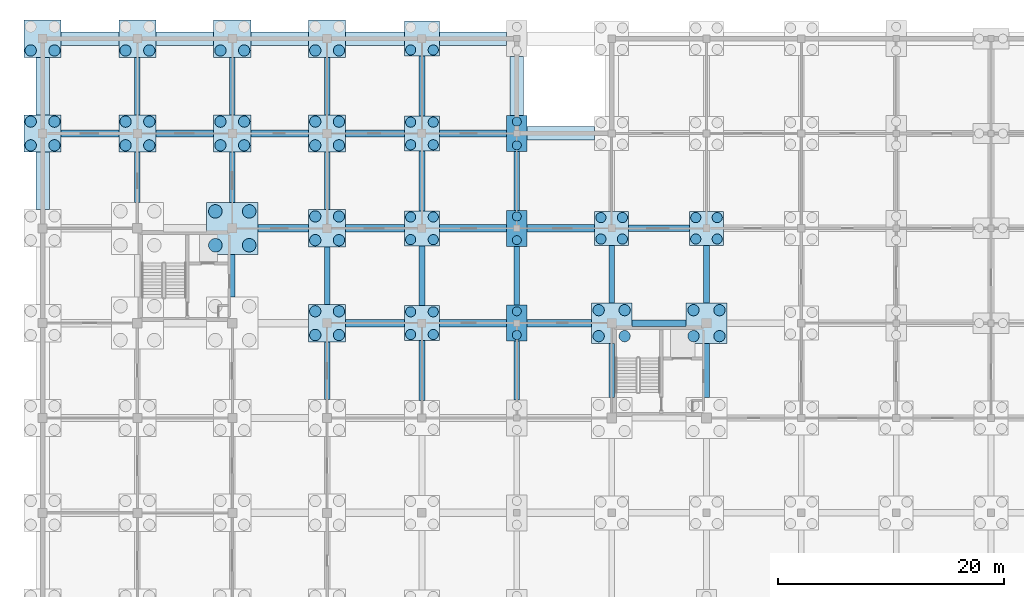
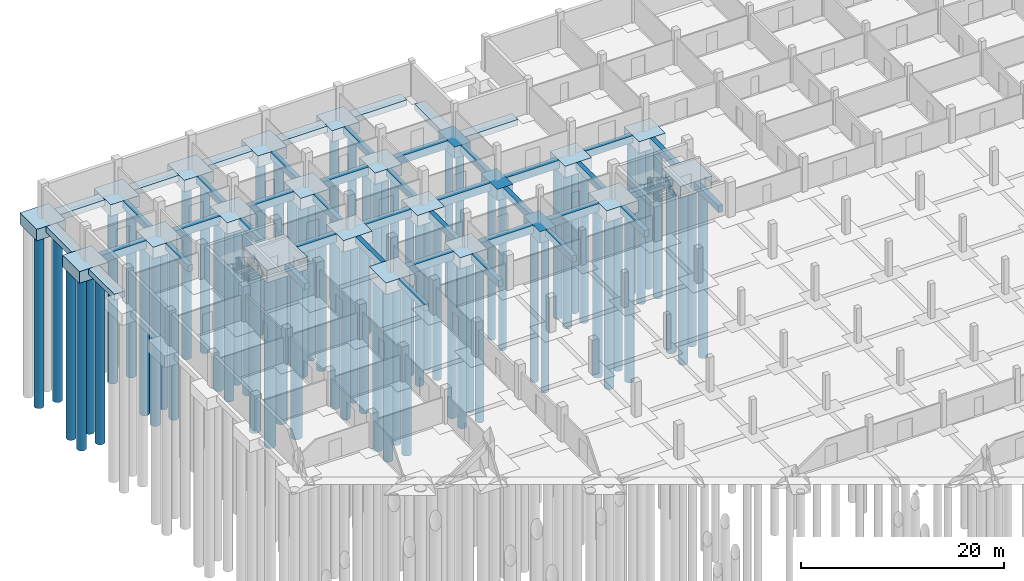
# One storey, part 8 of 43: 72 piles, 65 footings.
"""IFC4 building model written with IfcOpenShell, lengths in metres."""

from ifc_helpers import new_model, si_unit, direction, frame, origin, origin_2d, place, context, subcontext, project, spatial, rectangle, circle, extrude, material, material_profile, profile_set, type_object, element, save


model = new_model("IFC4")

# Units and contexts
model_context = context("Model", 3, precision=1e-05, world=origin(), true_north=direction((0.0, 1.0)))
body_context = subcontext(model_context, "Body", "Model", "MODEL_VIEW")
ifc_project = project(units=[si_unit("LENGTHUNIT", "METRE"), si_unit("AREAUNIT", "SQUARE_METRE"), si_unit("VOLUMEUNIT", "CUBIC_METRE"), si_unit("PLANEANGLEUNIT", "RADIAN"), si_unit("MASSUNIT", "GRAM", prefix="KILO")], contexts=[model_context])

# Site, building, storey
site_placement = place(None, origin())
site = spatial("IfcSite", under=ifc_project, at=site_placement, CompositionType="ELEMENT")
building_placement = place(site_placement, origin())
building = spatial("IfcBuilding", under=site, at=building_placement, Name="Varnapada Polytechnic", CompositionType="ELEMENT")
storey_placement = place(building_placement, frame((0.0, 0.0, -4.199951171875)))
storey = spatial("IfcBuildingStorey", under=building, at=storey_placement, Name="B1", CompositionType="ELEMENT", Elevation=-4.199951171875)

# Piles
ifc_material = material(Name="Concrete C40/50", Category="concrete")
ifc_material_profile_1 = material_profile(ifc_material, circle(Radius=0.5, at=origin_2d()), Name="BP 1000")
ifc_profile_set_1 = profile_set([ifc_material_profile_1], Name="Concrete C40/50")
pile_type_1 = type_object("IfcPileType", Name="Bored Pile BP 1000", PredefinedType="BORED", material=ifc_profile_set_1)
for number, where, z_axis, x_axis, name in (
    (1, (-1.050048828125, 116.550048828125, -1.300048828125), (0.0, 0.0, -1.0), (1.0, 0.0, 0.0), "Bored pile P-01 under CAP-00-14 (1)"),
    (2, (1.050048828125, 116.550048828125, -1.300048828125), (0.0, 0.0, -1.0), (1.0, 0.0, 0.0), "Bored pile P-01 under CAP-00-14 (2)"),
    (3, (-1.050048828125, 118.64990234375, -1.300048828125), (0.0, 0.0, -1.0), (1.0, 0.0, 0.0), "Bored pile P-01 under CAP-00-14 (3)"),
    (4, (1.050048828125, 118.64990234375, -1.300048828125), (0.0, 0.0, -1.0), (1.0, 0.0, 0.0), "Bored pile P-01 under CAP-00-14 (4)"),
    (5, (-1.050048828125, 124.949951171875, -1.300048828125), (0.0, 0.0, -1.0), (1.0, 0.0, 0.0), "Bored pile P-01 under CAP-00-15 (1)"),
    (6, (1.050048828125, 124.949951171875, -1.300048828125), (0.0, 0.0, -1.0), (1.0, 0.0, 0.0), "Bored pile P-01 under CAP-00-15 (2)"),
    (7, (7.35009765625, 116.550048828125, -1.300048828125), (0.0, 0.0, -1.0), (1.0, 0.0, 0.0), "Bored pile P-01 under CAP-01-14 (1)"),
    (8, (9.449951171875, 116.550048828125, -1.300048828125), (0.0, 0.0, -1.0), (1.0, 0.0, 0.0), "Bored pile P-01 under CAP-01-14 (2)"),
    (9, (7.35009765625, 118.64990234375, -1.300048828125), (0.0, 0.0, -1.0), (1.0, 0.0, 0.0), "Bored pile P-01 under CAP-01-14 (3)"),
    (10, (9.449951171875, 118.64990234375, -1.300048828125), (0.0, 0.0, -1.0), (1.0, 0.0, 0.0), "Bored pile P-01 under CAP-01-14 (4)"),
    (11, (7.35009765625, 124.949951171875, -1.300048828125), (0.0, 0.0, -1.0), (1.0, 0.0, 0.0), "Bored pile P-01 under CAP-01-15 (1)"),
    (12, (9.449951171875, 124.949951171875, -1.300048828125), (0.0, 0.0, -1.0), (1.0, 0.0, 0.0), "Bored pile P-01 under CAP-01-15 (2)"),
    (13, (15.75, 116.550048828125, -1.300048828125), (0.0, 0.0, -1.0), (1.0, 0.0, 0.0), "Bored pile P-01 under CAP-02-14 (1)"),
    (14, (17.85009765625, 116.550048828125, -1.300048828125), (0.0, 0.0, -1.0), (1.0, 0.0, 0.0), "Bored pile P-01 under CAP-02-14 (2)"),
    (15, (15.75, 118.64990234375, -1.300048828125), (0.0, 0.0, -1.0), (1.0, 0.0, 0.0), "Bored pile P-01 under CAP-02-14 (3)"),
    (16, (17.85009765625, 118.64990234375, -1.300048828125), (0.0, 0.0, -1.0), (1.0, 0.0, 0.0), "Bored pile P-01 under CAP-02-14 (4)"),
    (17, (15.75, 124.949951171875, -1.300048828125), (0.0, 0.0, -1.0), (1.0, 0.0, 0.0), "Bored pile P-01 under CAP-02-15 (1)"),
    (18, (17.85009765625, 124.949951171875, -1.300048828125), (0.0, 0.0, -1.0), (1.0, 0.0, 0.0), "Bored pile P-01 under CAP-02-15 (2)"),
    (19, (24.14990234375, 99.75, -1.300048828125), (0.0, 0.0, -1.0), (1.0, 0.0, 0.0), "Bored pile P-01 under CAP-03-12 (1)"),
    (20, (26.25, 99.75, -1.300048828125), (0.0, 0.0, -1.0), (1.0, 0.0, 0.0), "Bored pile P-01 under CAP-03-12 (2)"),
    (21, (24.14990234375, 101.85009765625, -1.300048828125), (0.0, 0.0, -1.0), (1.0, 0.0, 0.0), "Bored pile P-01 under CAP-03-12 (3)"),
    (22, (26.25, 101.85009765625, -1.300048828125), (0.0, 0.0, -1.0), (1.0, 0.0, 0.0), "Bored pile P-01 under CAP-03-12 (4)"),
    (23, (24.14990234375, 108.14990234375, -1.300048828125), (0.0, 0.0, -1.0), (1.0, 0.0, 0.0), "Bored pile P-01 under CAP-03-13 (1)"),
    (24, (26.25, 108.14990234375, -1.300048828125), (0.0, 0.0, -1.0), (1.0, 0.0, 0.0), "Bored pile P-01 under CAP-03-13 (2)"),
    (25, (24.14990234375, 110.25, -1.300048828125), (0.0, 0.0, -1.0), (1.0, 0.0, 0.0), "Bored pile P-01 under CAP-03-13 (3)"),
    (26, (26.25, 110.25, -1.300048828125), (0.0, 0.0, -1.0), (1.0, 0.0, 0.0), "Bored pile P-01 under CAP-03-13 (4)"),
    (27, (24.14990234375, 116.550048828125, -1.300048828125), (0.0, 0.0, -1.0), (1.0, 0.0, 0.0), "Bored pile P-01 under CAP-03-14 (1)"),
    (28, (26.25, 116.550048828125, -1.300048828125), (0.0, 0.0, -1.0), (1.0, 0.0, 0.0), "Bored pile P-01 under CAP-03-14 (2)"),
    (29, (24.14990234375, 118.64990234375, -1.300048828125), (0.0, 0.0, -1.0), (1.0, 0.0, 0.0), "Bored pile P-01 under CAP-03-14 (3)"),
    (30, (26.25, 118.64990234375, -1.300048828125), (0.0, 0.0, -1.0), (1.0, 0.0, 0.0), "Bored pile P-01 under CAP-03-14 (4)"),
    (31, (24.14990234375, 124.949951171875, -1.300048828125), (0.0, 0.0, -1.0), (1.0, 0.0, 0.0), "Bored pile P-01 under CAP-03-15 (1)"),
    (32, (26.25, 124.949951171875, -1.300048828125), (0.0, 0.0, -1.0), (1.0, 0.0, 0.0), "Bored pile P-01 under CAP-03-15 (2)"),
    (33, (49.25, 99.64990234375, -1.300048828125), (0.0, 0.0, -1.0), (1.0, 0.0, 0.0), "Bored pile P-01 under CAP-06-12 (1)"),
    (34, (51.550048828125, 99.64990234375, -1.300048828125), (0.0, 0.0, -1.0), (1.0, 0.0, 0.0), "Bored pile P-01 under CAP-06-12 (2)"),
    (35, (49.25, 101.949951171875, -1.300048828125), (0.0, 0.0, -1.0), (1.0, 0.0, 0.0), "Bored pile P-01 under CAP-06-12 (3)"),
    (36, (51.550048828125, 101.949951171875, -1.300048828125), (0.0, 0.0, -1.0), (1.0, 0.0, 0.0), "Bored pile P-01 under CAP-06-12 (4)"),
    (37, (57.64990234375, 99.64990234375, -1.300048828125), (0.0, 0.0, -1.0), (1.0, 0.0, 0.0), "Bored pile P-01 under CAP-07-12 (1)"),
    (38, (59.949951171875, 99.64990234375, -1.300048828125), (0.0, 0.0, -1.0), (1.0, 0.0, 0.0), "Bored pile P-01 under CAP-07-12 (2)"),
    (39, (57.64990234375, 101.949951171875, -1.300048828125), (0.0, 0.0, -1.0), (1.0, 0.0, 0.0), "Bored pile P-01 under CAP-07-12 (3)"),
    (40, (59.949951171875, 101.949951171875, -1.300048828125), (0.0, 0.0, -1.0), (1.0, 0.0, 0.0), "Bored pile P-01 under CAP-07-12 (4)"),
):
    element("IfcPile", number, at=place(storey_placement, frame(where, z_axis=z_axis, x_axis=x_axis)), inside=storey, type_object=pile_type_1, Name=name, PredefinedType="BORED", context=body_context, shape_type="SweptSolid", body=[
        extrude(circle(Radius=0.5, at=origin_2d()), origin(), (0.0, 0.0, 1.0), 20.5),
    ])
ifc_material_profile_2 = material_profile(ifc_material, circle(Radius=0.60009765625, at=origin_2d()), Name="BP 1200")
ifc_profile_set_2 = profile_set([ifc_material_profile_2], Name="Concrete C40/50")
pile_type_2 = type_object("IfcPileType", Name="Bored Pile BP 1200", PredefinedType="BORED", material=ifc_profile_set_2)
for number, where, z_axis, x_axis, name in (
    (41, (15.300048828125, 107.699951171875, -1.400146484375), (0.0, 0.0, -1.0), (1.0, 0.0, 0.0), "Bored pile P-06 under CAP-02-13 (1)"),
    (42, (18.300048828125, 107.699951171875, -1.400146484375), (0.0, 0.0, -1.0), (1.0, 0.0, 0.0), "Bored pile P-06 under CAP-02-13 (2)"),
    (43, (15.300048828125, 110.699951171875, -1.400146484375), (0.0, 0.0, -1.0), (1.0, 0.0, 0.0), "Bored pile P-06 under CAP-02-13 (3)"),
    (44, (18.300048828125, 110.699951171875, -1.400146484375), (0.0, 0.0, -1.0), (1.0, 0.0, 0.0), "Bored pile P-06 under CAP-02-13 (4)"),
):
    element("IfcPile", number, at=place(storey_placement, frame(where, z_axis=z_axis, x_axis=x_axis)), inside=storey, type_object=pile_type_2, Name=name, PredefinedType="BORED", context=body_context, shape_type="SweptSolid", body=[
        extrude(circle(Radius=0.60009765625, at=origin_2d()), origin(), (0.0, 0.0, 1.0), 20.39990234375),
    ])
ifc_material_profile_3 = material_profile(ifc_material, circle(Radius=0.39990234375, at=origin_2d()), Name="BP 800")
ifc_profile_set_3 = profile_set([ifc_material_profile_3], Name="Concrete C40/50")
pile_type_3 = type_object("IfcPileType", Name="Bored Pile BP 800", PredefinedType="BORED", material=ifc_profile_set_3)
for number, where, z_axis, x_axis, name in (
    (45, (42.0, 99.75, -1.300048828125), (0.0, 0.0, -1.0), (1.0, 0.0, 0.0), "Bored pile P-03 under CAP-05-12 (1)"),
    (46, (42.0, 101.85009765625, -1.300048828125), (0.0, 0.0, -1.0), (1.0, 0.0, 0.0), "Bored pile P-03 under CAP-05-12 (2)"),
    (47, (42.0, 108.14990234375, -1.300048828125), (0.0, 0.0, -1.0), (1.0, 0.0, 0.0), "Bored pile P-03 under CAP-05-13 (1)"),
    (48, (42.0, 110.25, -1.300048828125), (0.0, 0.0, -1.0), (1.0, 0.0, 0.0), "Bored pile P-03 under CAP-05-13 (2)"),
    (49, (42.0, 116.550048828125, -1.300048828125), (0.0, 0.0, -1.0), (1.0, 0.0, 0.0), "Bored pile P-03 under CAP-05-14 (1)"),
    (50, (42.0, 118.64990234375, -1.300048828125), (0.0, 0.0, -1.0), (1.0, 0.0, 0.0), "Bored pile P-03 under CAP-05-14 (2)"),
):
    element("IfcPile", number, at=place(storey_placement, frame(where, z_axis=z_axis, x_axis=x_axis)), inside=storey, type_object=pile_type_3, Name=name, PredefinedType="BORED", context=body_context, shape_type="SweptSolid", body=[
        extrude(circle(Radius=0.39990234375, at=origin_2d()), origin(), (0.0, 0.0, 1.0), 18.5),
    ])
ifc_material_profile_4 = material_profile(ifc_material, circle(Radius=0.449951171875, at=origin_2d()), Name="BP 900")
ifc_profile_set_4 = profile_set([ifc_material_profile_4], Name="Concrete C40/50")
pile_type_4 = type_object("IfcPileType", Name="Bored Pile BP 900", PredefinedType="BORED", material=ifc_profile_set_4)
for number, where, z_axis, x_axis, name in (
    (51, (32.60009765625, 99.800048828125, -1.25), (0.0, 0.0, -1.0), (1.0, 0.0, 0.0), "Bored pile P-02 under CAP-04-12 (1)"),
    (52, (34.60009765625, 99.800048828125, -1.25), (0.0, 0.0, -1.0), (1.0, 0.0, 0.0), "Bored pile P-02 under CAP-04-12 (2)"),
    (53, (32.60009765625, 101.800048828125, -1.25), (0.0, 0.0, -1.0), (1.0, 0.0, 0.0), "Bored pile P-02 under CAP-04-12 (3)"),
    (54, (34.60009765625, 101.800048828125, -1.25), (0.0, 0.0, -1.0), (1.0, 0.0, 0.0), "Bored pile P-02 under CAP-04-12 (4)"),
    (55, (32.60009765625, 108.199951171875, -1.25), (0.0, 0.0, -1.0), (1.0, 0.0, 0.0), "Bored pile P-02 under CAP-04-13 (1)"),
    (56, (34.60009765625, 108.199951171875, -1.25), (0.0, 0.0, -1.0), (1.0, 0.0, 0.0), "Bored pile P-02 under CAP-04-13 (2)"),
    (57, (32.60009765625, 110.199951171875, -1.25), (0.0, 0.0, -1.0), (1.0, 0.0, 0.0), "Bored pile P-02 under CAP-04-13 (3)"),
    (58, (34.60009765625, 110.199951171875, -1.25), (0.0, 0.0, -1.0), (1.0, 0.0, 0.0), "Bored pile P-02 under CAP-04-13 (4)"),
    (59, (32.60009765625, 116.60009765625, -1.25), (0.0, 0.0, -1.0), (1.0, 0.0, 0.0), "Bored pile P-02 under CAP-04-14 (1)"),
    (60, (34.60009765625, 116.60009765625, -1.25), (0.0, 0.0, -1.0), (1.0, 0.0, 0.0), "Bored pile P-02 under CAP-04-14 (2)"),
    (61, (32.60009765625, 118.60009765625, -1.25), (0.0, 0.0, -1.0), (1.0, 0.0, 0.0), "Bored pile P-02 under CAP-04-14 (3)"),
    (62, (34.60009765625, 118.60009765625, -1.25), (0.0, 0.0, -1.0), (1.0, 0.0, 0.0), "Bored pile P-02 under CAP-04-14 (4)"),
    (63, (32.60009765625, 125.0, -1.25), (0.0, 0.0, -1.0), (1.0, 0.0, 0.0), "Bored pile P-02 under CAP-04-15 (1)"),
    (64, (34.60009765625, 125.0, -1.25), (0.0, 0.0, -1.0), (1.0, 0.0, 0.0), "Bored pile P-02 under CAP-04-15 (2)"),
):
    element("IfcPile", number, at=place(storey_placement, frame(where, z_axis=z_axis, x_axis=x_axis)), inside=storey, type_object=pile_type_4, Name=name, PredefinedType="BORED", context=body_context, shape_type="SweptSolid", body=[
        extrude(circle(Radius=0.449951171875, at=origin_2d()), origin(), (0.0, 0.0, 1.0), 19.550048828125),
    ])
for number, where, z_axis, x_axis, name in (
    (65, (49.449951171875, 108.25, -1.300048828125), (0.0, 0.0, -1.0), (1.0, 0.0, 0.0), "Bored pile P-02 under CAP-06-13 (1)"),
    (66, (51.35009765625, 108.25, -1.300048828125), (0.0, 0.0, -1.0), (1.0, 0.0, 0.0), "Bored pile P-02 under CAP-06-13 (2)"),
    (67, (49.449951171875, 110.14990234375, -1.300048828125), (0.0, 0.0, -1.0), (1.0, 0.0, 0.0), "Bored pile P-02 under CAP-06-13 (3)"),
    (68, (51.35009765625, 110.14990234375, -1.300048828125), (0.0, 0.0, -1.0), (1.0, 0.0, 0.0), "Bored pile P-02 under CAP-06-13 (4)"),
    (69, (57.85009765625, 108.25, -1.300048828125), (0.0, 0.0, -1.0), (1.0, 0.0, 0.0), "Bored pile P-02 under CAP-07-13 (1)"),
    (70, (59.75, 108.25, -1.300048828125), (0.0, 0.0, -1.0), (1.0, 0.0, 0.0), "Bored pile P-02 under CAP-07-13 (2)"),
    (71, (57.85009765625, 110.14990234375, -1.300048828125), (0.0, 0.0, -1.0), (1.0, 0.0, 0.0), "Bored pile P-02 under CAP-07-13 (3)"),
    (72, (59.75, 110.14990234375, -1.300048828125), (0.0, 0.0, -1.0), (1.0, 0.0, 0.0), "Bored pile P-02 under CAP-07-13 (4)"),
):
    element("IfcPile", number, at=place(storey_placement, frame(where, z_axis=z_axis, x_axis=x_axis)), inside=storey, type_object=pile_type_4, Name=name, PredefinedType="BORED", context=body_context, shape_type="SweptSolid", body=[
        extrude(circle(Radius=0.449951171875, at=origin_2d()), origin(), (0.0, 0.0, 1.0), 18.5),
    ])

# Footings
footing_type_1 = type_object("IfcFootingType", Name="Footing GB-02", PredefinedType="FOOTING_BEAM", material=ifc_material)
footing_1_placement = place(storey_placement, frame((8.39990234375, 113.72509765625, -0.80029296875), z_axis=(0.0, 0.0, 1.0), x_axis=(0.0, 1.0, 0.0)))
element("IfcFooting", 73, at=footing_1_placement, inside=storey, type_object=footing_type_1, Name="Ground footing beam GB-02 Y 14-15", PredefinedType="FOOTING_BEAM", context=body_context, shape_type="SweptSolid", body=[
    extrude(rectangle(XDim=4.449951171875, YDim=0.5, at=origin_2d()), origin(), (0.0, 0.0, 1.0), 0.800048828125),
])
footing_2_placement = place(storey_placement, frame((8.39990234375, 121.800048828125, -0.80029296875), z_axis=(0.0, 0.0, 1.0), x_axis=(0.0, 1.0, 0.0)))
element("IfcFooting", 74, at=footing_2_placement, inside=storey, type_object=footing_type_1, Name="Ground footing beam GB-02 Y 15-16", PredefinedType="FOOTING_BEAM", context=body_context, shape_type="SweptSolid", body=[
    extrude(rectangle(XDim=5.10009765625, YDim=0.5, at=origin_2d()), origin(), (0.0, 0.0, 1.0), 0.800048828125),
])
footing_3_placement = place(storey_placement, frame((16.800048828125, 105.0, -0.80029296875), z_axis=(0.0, 0.0, 1.0), x_axis=(0.0, 1.0, 0.0)))
element("IfcFooting", 75, at=footing_3_placement, inside=storey, type_object=footing_type_1, Name="Ground footing beam GB-02 Y 13-14", PredefinedType="FOOTING_BEAM", context=body_context, shape_type="SweptSolid", body=[
    extrude(rectangle(XDim=3.800048828125, YDim=0.5, at=origin_2d()), origin(), (0.0, 0.0, 1.0), 0.800048828125),
])
footing_4_placement = place(storey_placement, frame((16.800048828125, 113.72509765625, -0.80029296875), z_axis=(0.0, 0.0, 1.0), x_axis=(0.0, 1.0, 0.0)))
element("IfcFooting", 76, at=footing_4_placement, inside=storey, type_object=footing_type_1, Name="Ground footing beam GB-02 Y 14-15", PredefinedType="FOOTING_BEAM", context=body_context, shape_type="SweptSolid", body=[
    extrude(rectangle(XDim=4.449951171875, YDim=0.5, at=origin_2d()), origin(), (0.0, 0.0, 1.0), 0.800048828125),
])
for number, where, z_axis, x_axis, name in (
    (77, (16.800048828125, 121.800048828125, -0.80029296875), (0.0, 0.0, 1.0), (0.0, 1.0, 0.0), "Ground footing beam GB-02 Y 15-16"),
    (78, (25.199951171875, 96.60009765625, -0.80029296875), (0.0, 0.0, 1.0), (0.0, 1.0, 0.0), "Ground footing beam GB-02 Y 12-13"),
    (79, (25.199951171875, 105.0, -0.80029296875), (0.0, 0.0, 1.0), (0.0, 1.0, 0.0), "Ground footing beam GB-02 Y 13-14"),
    (80, (25.199951171875, 113.39990234375, -0.80029296875), (0.0, 0.0, 1.0), (0.0, 1.0, 0.0), "Ground footing beam GB-02 Y 14-15"),
    (81, (25.199951171875, 121.800048828125, -0.80029296875), (0.0, 0.0, 1.0), (0.0, 1.0, 0.0), "Ground footing beam GB-02 Y 15-16"),
):
    element("IfcFooting", number, at=place(storey_placement, frame(where, z_axis=z_axis, x_axis=x_axis)), inside=storey, type_object=footing_type_1, Name=name, PredefinedType="FOOTING_BEAM", context=body_context, shape_type="SweptSolid", body=[
        extrude(rectangle(XDim=5.10009765625, YDim=0.5, at=origin_2d()), origin(), (0.0, 0.0, 1.0), 0.800048828125),
    ])
for number, where, z_axis, x_axis, name in (
    (82, (33.60009765625, 96.60009765625, -0.80029296875), (0.0, 0.0, 1.0), (0.0, 1.0, 0.0), "Ground footing beam GB-02 Y 12-13"),
    (83, (33.60009765625, 105.0, -0.80029296875), (0.0, 0.0, 1.0), (0.0, 1.0, 0.0), "Ground footing beam GB-02 Y 13-14"),
    (84, (33.60009765625, 113.39990234375, -0.80029296875), (0.0, 0.0, 1.0), (0.0, 1.0, 0.0), "Ground footing beam GB-02 Y 14-15"),
    (85, (33.60009765625, 121.800048828125, -0.80029296875), (0.0, 0.0, 1.0), (0.0, 1.0, 0.0), "Ground footing beam GB-02 Y 15-16"),
):
    element("IfcFooting", number, at=place(storey_placement, frame(where, z_axis=z_axis, x_axis=x_axis)), inside=storey, type_object=footing_type_1, Name=name, PredefinedType="FOOTING_BEAM", context=body_context, shape_type="SweptSolid", body=[
        extrude(rectangle(XDim=5.300048828125, YDim=0.5, at=origin_2d()), origin(), (0.0, 0.0, 1.0), 0.800048828125),
    ])
for number, where, z_axis, x_axis, name in (
    (86, (42.0, 96.60009765625, -0.80029296875), (0.0, 0.0, 1.0), (0.0, 1.0, 0.0), "Ground footing beam GB-02 Y 12-13"),
    (87, (42.0, 105.0, -0.80029296875), (0.0, 0.0, 1.0), (0.0, 1.0, 0.0), "Ground footing beam GB-02 Y 13-14"),
    (88, (42.0, 113.39990234375, -0.80029296875), (0.0, 0.0, 1.0), (0.0, 1.0, 0.0), "Ground footing beam GB-02 Y 14-15"),
):
    element("IfcFooting", number, at=place(storey_placement, frame(where, z_axis=z_axis, x_axis=x_axis)), inside=storey, type_object=footing_type_1, Name=name, PredefinedType="FOOTING_BEAM", context=body_context, shape_type="SweptSolid", body=[
        extrude(rectangle(XDim=5.199951171875, YDim=0.5, at=origin_2d()), origin(), (0.0, 0.0, 1.0), 0.800048828125),
    ])
footing_5_placement = place(storey_placement, frame((50.39990234375, 96.60009765625, -0.80029296875), z_axis=(0.0, 0.0, 1.0), x_axis=(0.0, 1.0, 0.0)))
element("IfcFooting", 89, at=footing_5_placement, inside=storey, type_object=footing_type_1, Name="Ground footing beam GB-02 Y 12-13", PredefinedType="FOOTING_BEAM", context=body_context, shape_type="SweptSolid", body=[
    extrude(rectangle(XDim=4.800048828125, YDim=0.5, at=origin_2d()), origin(), (0.0, 0.0, 1.0), 0.800048828125),
])
footing_6_placement = place(storey_placement, frame((50.39990234375, 105.14990234375, -0.80029296875), z_axis=(0.0, 0.0, 1.0), x_axis=(0.0, 1.0, 0.0)))
element("IfcFooting", 90, at=footing_6_placement, inside=storey, type_object=footing_type_1, Name="Ground footing beam GB-02 Y 13-14", PredefinedType="FOOTING_BEAM", context=body_context, shape_type="SweptSolid", body=[
    extrude(rectangle(XDim=5.10009765625, YDim=0.5, at=origin_2d()), origin(), (0.0, 0.0, 1.0), 0.800048828125),
])
footing_7_placement = place(storey_placement, frame((58.800048828125, 96.60009765625, -0.80029296875), z_axis=(0.0, 0.0, 1.0), x_axis=(0.0, 1.0, 0.0)))
element("IfcFooting", 91, at=footing_7_placement, inside=storey, type_object=footing_type_1, Name="Ground footing beam GB-02 Y 12-13", PredefinedType="FOOTING_BEAM", context=body_context, shape_type="SweptSolid", body=[
    extrude(rectangle(XDim=4.800048828125, YDim=0.5, at=origin_2d()), origin(), (0.0, 0.0, 1.0), 0.800048828125),
])
footing_8_placement = place(storey_placement, frame((58.800048828125, 105.14990234375, -0.80029296875), z_axis=(0.0, 0.0, 1.0), x_axis=(0.0, 1.0, 0.0)))
element("IfcFooting", 92, at=footing_8_placement, inside=storey, type_object=footing_type_1, Name="Ground footing beam GB-02 Y 13-14", PredefinedType="FOOTING_BEAM", context=body_context, shape_type="SweptSolid", body=[
    extrude(rectangle(XDim=5.10009765625, YDim=0.5, at=origin_2d()), origin(), (0.0, 0.0, 1.0), 0.800048828125),
])
footing_type_2 = type_object("IfcFootingType", Name="Footing GB-03", PredefinedType="FOOTING_BEAM", material=ifc_material)
for number, where, z_axis, x_axis, name in (
    (93, (4.199951171875, 117.60009765625, -0.9501953125), (0.0, 0.0, 1.0), (1.0, 0.0, 0.0), "Ground footing beam GB-03 X 1-2"),
    (94, (12.60009765625, 117.60009765625, -0.9501953125), (0.0, 0.0, 1.0), (1.0, 0.0, 0.0), "Ground footing beam GB-03 X 2-3"),
):
    element("IfcFooting", number, at=place(storey_placement, frame(where, z_axis=z_axis, x_axis=x_axis)), inside=storey, type_object=footing_type_2, Name=name, PredefinedType="FOOTING_BEAM", context=body_context, shape_type="SweptSolid", body=[
        extrude(rectangle(XDim=5.10009765625, YDim=0.64990234375, at=origin_2d()), origin(), (0.0, 0.0, 1.0), 0.949951171875),
    ])
footing_9_placement = place(storey_placement, frame((21.324951171875, 109.199951171875, -0.9501953125), z_axis=(0.0, 0.0, 1.0), x_axis=(1.0, 0.0, 0.0)))
element("IfcFooting", 95, at=footing_9_placement, inside=storey, type_object=footing_type_2, Name="Ground footing beam GB-03 X 3-4", PredefinedType="FOOTING_BEAM", context=body_context, shape_type="SweptSolid", body=[
    extrude(rectangle(XDim=4.449951171875, YDim=0.64990234375, at=origin_2d()), origin(), (0.0, 0.0, 1.0), 0.949951171875),
])
footing_10_placement = place(storey_placement, frame((21.0, 117.60009765625, -0.9501953125), z_axis=(0.0, 0.0, 1.0), x_axis=(1.0, 0.0, 0.0)))
element("IfcFooting", 96, at=footing_10_placement, inside=storey, type_object=footing_type_2, Name="Ground footing beam GB-03 X 3-4", PredefinedType="FOOTING_BEAM", context=body_context, shape_type="SweptSolid", body=[
    extrude(rectangle(XDim=5.10009765625, YDim=0.64990234375, at=origin_2d()), origin(), (0.0, 0.0, 1.0), 0.949951171875),
])
for number, where, z_axis, x_axis, name in (
    (97, (29.449951171875, 100.800048828125, -0.9501953125), (0.0, 0.0, 1.0), (1.0, 0.0, 0.0), "Ground footing beam GB-03 X 4-5"),
    (98, (29.449951171875, 109.199951171875, -0.9501953125), (0.0, 0.0, 1.0), (1.0, 0.0, 0.0), "Ground footing beam GB-03 X 4-5"),
    (99, (29.449951171875, 117.60009765625, -0.9501953125), (0.0, 0.0, 1.0), (1.0, 0.0, 0.0), "Ground footing beam GB-03 X 4-5"),
):
    element("IfcFooting", number, at=place(storey_placement, frame(where, z_axis=z_axis, x_axis=x_axis)), inside=storey, type_object=footing_type_2, Name=name, PredefinedType="FOOTING_BEAM", context=body_context, shape_type="SweptSolid", body=[
        extrude(rectangle(XDim=5.199951171875, YDim=0.64990234375, at=origin_2d()), origin(), (0.0, 0.0, 1.0), 0.949951171875),
    ])
for number, where, z_axis, x_axis, name in (
    (100, (38.125, 100.800048828125, -0.9501953125), (0.0, 0.0, 1.0), (1.0, 0.0, 0.0), "Ground footing beam GB-03 X 5-6"),
    (101, (38.125, 109.199951171875, -0.9501953125), (0.0, 0.0, 1.0), (1.0, 0.0, 0.0), "Ground footing beam GB-03 X 5-6"),
    (102, (38.125, 117.60009765625, -0.9501953125), (0.0, 0.0, 1.0), (1.0, 0.0, 0.0), "Ground footing beam GB-03 X 5-6"),
):
    element("IfcFooting", number, at=place(storey_placement, frame(where, z_axis=z_axis, x_axis=x_axis)), inside=storey, type_object=footing_type_2, Name=name, PredefinedType="FOOTING_BEAM", context=body_context, shape_type="SweptSolid", body=[
        extrude(rectangle(XDim=5.949951171875, YDim=0.64990234375, at=origin_2d()), origin(), (0.0, 0.0, 1.0), 0.949951171875),
    ])
footing_11_placement = place(storey_placement, frame((45.75, 100.800048828125, -0.9501953125), z_axis=(0.0, 0.0, 1.0), x_axis=(1.0, 0.0, 0.0)))
element("IfcFooting", 103, at=footing_11_placement, inside=storey, type_object=footing_type_2, Name="Ground footing beam GB-03 X 6-7", PredefinedType="FOOTING_BEAM", context=body_context, shape_type="SweptSolid", body=[
    extrude(rectangle(XDim=5.699951171875, YDim=0.64990234375, at=origin_2d()), origin(), (0.0, 0.0, 1.0), 0.949951171875),
])
footing_12_placement = place(storey_placement, frame((45.89990234375, 109.199951171875, -0.9501953125), z_axis=(0.0, 0.0, 1.0), x_axis=(1.0, 0.0, 0.0)))
element("IfcFooting", 104, at=footing_12_placement, inside=storey, type_object=footing_type_2, Name="Ground footing beam GB-03 X 6-7", PredefinedType="FOOTING_BEAM", context=body_context, shape_type="SweptSolid", body=[
    extrude(rectangle(XDim=6.0, YDim=0.64990234375, at=origin_2d()), origin(), (0.0, 0.0, 1.0), 0.949951171875),
])
footing_type_3 = type_object("IfcFootingType", Name="Footing GB-04", PredefinedType="FOOTING_BEAM", material=ifc_material)
footing_13_placement = place(storey_placement, frame((54.60009765625, 100.800048828125, -0.85009765625), z_axis=(0.0, 0.0, 1.0), x_axis=(1.0, 0.0, 0.0)))
element("IfcFooting", 105, at=footing_13_placement, inside=storey, type_object=footing_type_3, Name="Ground footing beam GB-04 X 7-8", PredefinedType="FOOTING_BEAM", context=body_context, shape_type="SweptSolid", body=[
    extrude(rectangle(XDim=4.800048828125, YDim=0.550048828125, at=origin_2d()), origin(), (0.0, 0.0, 1.0), 0.85009765625),
])
footing_14_placement = place(storey_placement, frame((54.60009765625, 109.199951171875, -0.85009765625), z_axis=(0.0, 0.0, 1.0), x_axis=(1.0, 0.0, 0.0)))
element("IfcFooting", 106, at=footing_14_placement, inside=storey, type_object=footing_type_3, Name="Ground footing beam GB-04 X 7-8", PredefinedType="FOOTING_BEAM", context=body_context, shape_type="SweptSolid", body=[
    extrude(rectangle(XDim=5.39990234375, YDim=0.550048828125, at=origin_2d()), origin(), (0.0, 0.0, 1.0), 0.85009765625),
])
footing_type_4 = type_object("IfcFootingType", Name="Footing PC-01", PredefinedType="PILE_CAP", material=ifc_material)
for number, where, z_axis, x_axis, name in (
    (107, (50.39990234375, 100.800048828125, -1.39990234375), (0.0, 0.0, 1.0), (1.0, 0.0, 0.0), "Pile cap PC-01 at grid 7/13"),
    (108, (58.800048828125, 100.800048828125, -1.39990234375), (0.0, 0.0, 1.0), (1.0, 0.0, 0.0), "Pile cap PC-01 at grid 8/13"),
):
    element("IfcFooting", number, at=place(storey_placement, frame(where, z_axis=z_axis, x_axis=x_axis)), inside=storey, type_object=footing_type_4, Name=name, PredefinedType="PILE_CAP", context=body_context, shape_type="SweptSolid", body=[
        extrude(rectangle(XDim=3.60009765625, YDim=3.60009765625, at=origin_2d()), origin(), (0.0, 0.0, 1.0), 1.39990234375),
    ])
footing_type_5 = type_object("IfcFootingType", Name="Footing PC-02", PredefinedType="PILE_CAP", material=ifc_material)
for number, where, z_axis, x_axis, name in (
    (109, (0.0, 117.60009765625, -1.39990234375), (0.0, 0.0, 1.0), (1.0, 0.0, 0.0), "Pile cap PC-02 at grid 1/15"),
    (110, (0.0, 126.0, -1.39990234375), (0.0, 0.0, 1.0), (1.0, 0.0, 0.0), "Pile cap PC-02 at grid 1/16"),
    (111, (8.39990234375, 117.60009765625, -1.39990234375), (0.0, 0.0, 1.0), (1.0, 0.0, 0.0), "Pile cap PC-02 at grid 2/15"),
    (112, (8.39990234375, 126.0, -1.39990234375), (0.0, 0.0, 1.0), (1.0, 0.0, 0.0), "Pile cap PC-02 at grid 2/16"),
    (113, (16.800048828125, 117.60009765625, -1.39990234375), (0.0, 0.0, 1.0), (1.0, 0.0, 0.0), "Pile cap PC-02 at grid 3/15"),
    (114, (16.800048828125, 126.0, -1.39990234375), (0.0, 0.0, 1.0), (1.0, 0.0, 0.0), "Pile cap PC-02 at grid 3/16"),
    (115, (25.199951171875, 100.800048828125, -1.39990234375), (0.0, 0.0, 1.0), (1.0, 0.0, 0.0), "Pile cap PC-02 at grid 4/13"),
    (116, (25.199951171875, 109.199951171875, -1.39990234375), (0.0, 0.0, 1.0), (1.0, 0.0, 0.0), "Pile cap PC-02 at grid 4/14"),
    (117, (25.199951171875, 117.60009765625, -1.39990234375), (0.0, 0.0, 1.0), (1.0, 0.0, 0.0), "Pile cap PC-02 at grid 4/15"),
    (118, (25.199951171875, 126.0, -1.39990234375), (0.0, 0.0, 1.0), (1.0, 0.0, 0.0), "Pile cap PC-02 at grid 4/16"),
):
    element("IfcFooting", number, at=place(storey_placement, frame(where, z_axis=z_axis, x_axis=x_axis)), inside=storey, type_object=footing_type_5, Name=name, PredefinedType="PILE_CAP", context=body_context, shape_type="SweptSolid", body=[
        extrude(rectangle(XDim=3.300048828125, YDim=3.300048828125, at=origin_2d()), origin(), (0.0, 0.0, 1.0), 1.39990234375),
    ])
footing_type_6 = type_object("IfcFootingType", Name="Footing PC-03", PredefinedType="PILE_CAP", material=ifc_material)
for number, where, z_axis, x_axis, name in (
    (119, (50.39990234375, 109.199951171875, -1.39990234375), (0.0, 0.0, 1.0), (1.0, 0.0, 0.0), "Pile cap PC-03 at grid 7/14"),
    (120, (58.800048828125, 109.199951171875, -1.39990234375), (0.0, 0.0, 1.0), (1.0, 0.0, 0.0), "Pile cap PC-03 at grid 8/14"),
):
    element("IfcFooting", number, at=place(storey_placement, frame(where, z_axis=z_axis, x_axis=x_axis)), inside=storey, type_object=footing_type_6, Name=name, PredefinedType="PILE_CAP", context=body_context, shape_type="SweptSolid", body=[
        extrude(rectangle(XDim=3.0, YDim=3.0, at=origin_2d()), origin(), (0.0, 0.0, 1.0), 1.39990234375),
    ])
footing_type_7 = type_object("IfcFootingType", Name="Footing PC-05", PredefinedType="PILE_CAP", material=ifc_material)
for number, where, z_axis, x_axis, name in (
    (121, (42.0, 100.800048828125, -1.39990234375), (0.0, 0.0, 1.0), (1.0, 0.0, 0.0), "Pile cap PC-05 at grid 6/13"),
    (122, (42.0, 109.199951171875, -1.39990234375), (0.0, 0.0, 1.0), (1.0, 0.0, 0.0), "Pile cap PC-05 at grid 6/14"),
    (123, (42.0, 117.60009765625, -1.39990234375), (0.0, 0.0, 1.0), (1.0, 0.0, 0.0), "Pile cap PC-05 at grid 6/15"),
):
    element("IfcFooting", number, at=place(storey_placement, frame(where, z_axis=z_axis, x_axis=x_axis)), inside=storey, type_object=footing_type_7, Name=name, PredefinedType="PILE_CAP", context=body_context, shape_type="SweptSolid", body=[
        extrude(rectangle(XDim=1.800048828125, YDim=3.199951171875, at=origin_2d()), origin(), (0.0, 0.0, 1.0), 1.39990234375),
    ])
footing_type_8 = type_object("IfcFootingType", Name="Footing PC-08", PredefinedType="PILE_CAP", material=ifc_material)
for number, where, z_axis, x_axis, name in (
    (124, (33.60009765625, 100.800048828125, -1.35009765625), (0.0, 0.0, 1.0), (1.0, 0.0, 0.0), "Pile cap PC-08 at grid 5/13"),
    (125, (33.60009765625, 109.199951171875, -1.35009765625), (0.0, 0.0, 1.0), (1.0, 0.0, 0.0), "Pile cap PC-08 at grid 5/14"),
    (126, (33.60009765625, 117.60009765625, -1.35009765625), (0.0, 0.0, 1.0), (1.0, 0.0, 0.0), "Pile cap PC-08 at grid 5/15"),
    (127, (33.60009765625, 126.0, -1.35009765625), (0.0, 0.0, 1.0), (1.0, 0.0, 0.0), "Pile cap PC-08 at grid 5/16"),
):
    element("IfcFooting", number, at=place(storey_placement, frame(where, z_axis=z_axis, x_axis=x_axis)), inside=storey, type_object=footing_type_8, Name=name, PredefinedType="PILE_CAP", context=body_context, shape_type="SweptSolid", body=[
        extrude(rectangle(XDim=3.10009765625, YDim=3.10009765625, at=origin_2d()), origin(), (0.0, 0.0, 1.0), 1.35009765625),
    ])
footing_type_9 = type_object("IfcFootingType", Name="Footing PC-13", PredefinedType="PILE_CAP", material=ifc_material)
footing_15_placement = place(storey_placement, frame((16.800048828125, 109.199951171875, -1.5), z_axis=(0.0, 0.0, 1.0), x_axis=(1.0, 0.0, 0.0)))
element("IfcFooting", 128, at=footing_15_placement, inside=storey, type_object=footing_type_9, Name="Pile cap PC-13 at grid 3/14", PredefinedType="PILE_CAP", context=body_context, shape_type="SweptSolid", body=[
    extrude(rectangle(XDim=4.60009765625, YDim=4.60009765625, at=origin_2d()), origin(), (0.0, 0.0, 1.0), 1.5),
])
footing_type_10 = type_object("IfcFootingType", Name="Footing SF-01", PredefinedType="STRIP_FOOTING", material=ifc_material)
for number, where, z_axis, x_axis, name in (
    (129, (0.0, 113.39990234375, -0.7001953125), (0.0, 0.0, 1.0), (0.0, 1.0, 0.0), "Ground footing beam SF-01 Y 14-15"),
    (130, (0.0, 121.800048828125, -0.7001953125), (0.0, 0.0, 1.0), (0.0, 1.0, 0.0), "Ground footing beam SF-01 Y 15-16"),
    (131, (4.199951171875, 126.0, -0.7001953125), (0.0, 0.0, 1.0), (1.0, 0.0, 0.0), "Ground footing beam SF-01 X 1-2"),
    (132, (12.60009765625, 126.0, -0.7001953125), (0.0, 0.0, 1.0), (1.0, 0.0, 0.0), "Ground footing beam SF-01 X 2-3"),
    (133, (21.0, 126.0, -0.7001953125), (0.0, 0.0, 1.0), (1.0, 0.0, 0.0), "Ground footing beam SF-01 X 3-4"),
):
    element("IfcFooting", number, at=place(storey_placement, frame(where, z_axis=z_axis, x_axis=x_axis)), inside=storey, type_object=footing_type_10, Name=name, PredefinedType="STRIP_FOOTING", context=body_context, shape_type="SweptSolid", body=[
        extrude(rectangle(XDim=5.10009765625, YDim=1.199951171875, at=origin_2d()), origin(), (0.0, 0.0, 1.0), 0.699951171875),
    ])
footing_16_placement = place(storey_placement, frame((29.449951171875, 126.0, -0.7001953125), z_axis=(0.0, 0.0, 1.0), x_axis=(1.0, 0.0, 0.0)))
element("IfcFooting", 134, at=footing_16_placement, inside=storey, type_object=footing_type_10, Name="Ground footing beam SF-01 X 4-5", PredefinedType="STRIP_FOOTING", context=body_context, shape_type="SweptSolid", body=[
    extrude(rectangle(XDim=5.199951171875, YDim=1.199951171875, at=origin_2d()), origin(), (0.0, 0.0, 1.0), 0.699951171875),
])
footing_17_placement = place(storey_placement, frame((38.125, 126.0, -0.7001953125), z_axis=(0.0, 0.0, 1.0), x_axis=(1.0, 0.0, 0.0)))
element("IfcFooting", 135, at=footing_17_placement, inside=storey, type_object=footing_type_10, Name="Ground footing beam SF-01 X 5-6", PredefinedType="STRIP_FOOTING", context=body_context, shape_type="SweptSolid", body=[
    extrude(rectangle(XDim=5.949951171875, YDim=1.199951171875, at=origin_2d()), origin(), (0.0, 0.0, 1.0), 0.699951171875),
])
footing_18_placement = place(storey_placement, frame((45.89990234375, 117.60009765625, -0.7001953125), z_axis=(0.0, 0.0, 1.0), x_axis=(1.0, 0.0, 0.0)))
element("IfcFooting", 136, at=footing_18_placement, inside=storey, type_object=footing_type_10, Name="Ground footing beam SF-01 X 6-7", PredefinedType="STRIP_FOOTING", context=body_context, shape_type="SweptSolid", body=[
    extrude(rectangle(XDim=6.0, YDim=1.199951171875, at=origin_2d()), origin(), (0.0, 0.0, 1.0), 0.699951171875),
])
footing_19_placement = place(storey_placement, frame((42.0, 121.800048828125, -0.7001953125), z_axis=(0.0, 0.0, 1.0), x_axis=(0.0, 1.0, 0.0)))
element("IfcFooting", 137, at=footing_19_placement, inside=storey, type_object=footing_type_10, Name="Ground footing beam SF-01 Y 15-16", PredefinedType="STRIP_FOOTING", context=body_context, shape_type="SweptSolid", body=[
    extrude(rectangle(XDim=5.199951171875, YDim=1.199951171875, at=origin_2d()), origin(), (0.0, 0.0, 1.0), 0.699951171875),
])

save(model, "model.ifc")
